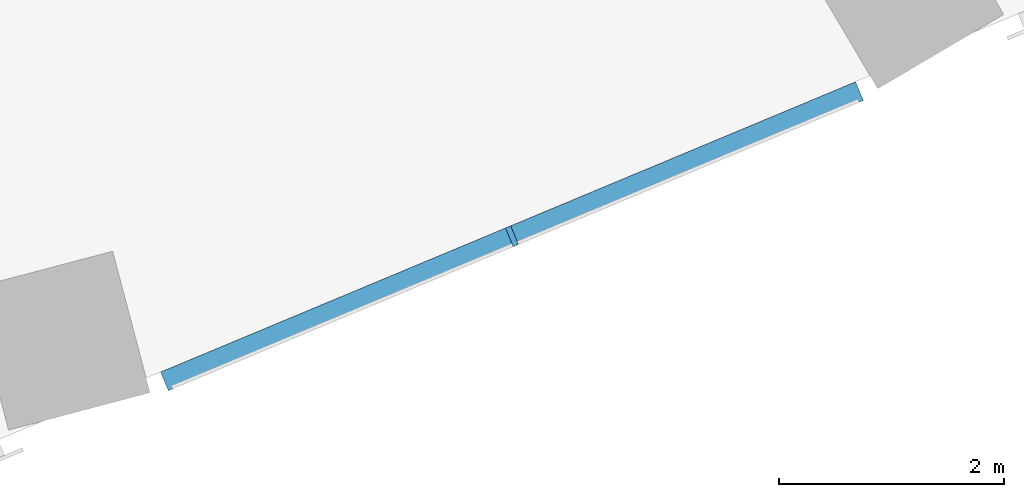
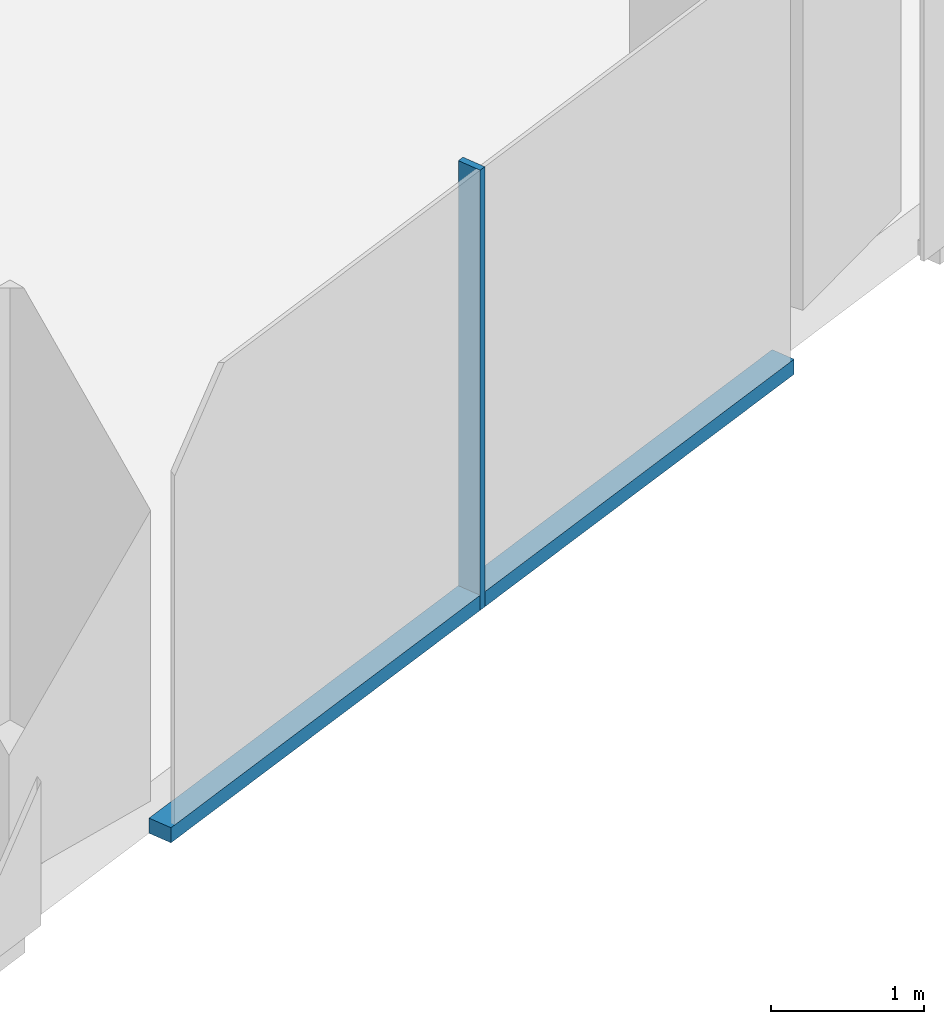
# One storey, part 6 of 35: 2 members, 1 element without a shape of its own.
"""IFC4 building model written with IfcOpenShell, lengths in metres."""

from ifc_helpers import new_model, si_unit, direction, frame, origin, origin_2d, place, context, subcontext, project, spatial, rectangle, extrude, material, material_profile, profile_set, type_object, element, aggregate, save


model = new_model("IFC4")

# Units and contexts
model_context = context("Model", 3, precision=1e-05, world=origin(), true_north=direction((0.0, 1.0)))
body_context = subcontext(model_context, "Body", "Model", "MODEL_VIEW")
ifc_project = project(units=[si_unit("LENGTHUNIT", "METRE"), si_unit("AREAUNIT", "SQUARE_METRE"), si_unit("VOLUMEUNIT", "CUBIC_METRE"), si_unit("PLANEANGLEUNIT", "RADIAN"), si_unit("MASSUNIT", "GRAM", prefix="KILO")], contexts=[model_context])

# Site, building, storey
site_placement = place(None, origin())
site = spatial("IfcSite", under=ifc_project, at=site_placement, CompositionType="ELEMENT")
building_placement = place(site_placement, origin())
building = spatial("IfcBuilding", under=site, at=building_placement, Name="Orlundy Tower", CompositionType="ELEMENT")
storey_placement = place(building_placement, frame((0.0, 0.0, 116.199951171875)))
storey = spatial("IfcBuildingStorey", under=building, at=storey_placement, Name="L29", CompositionType="ELEMENT", Elevation=116.199951171875)

# Curtain wall, members
ifc_material_1 = material(Name="Aluminium bronze anodised", Category="aluminium")
curtain_wall_type = type_object("IfcCurtainWallType", Name="CW1 wall", PredefinedType="NOTDEFINED", material=ifc_material_1)
curtain_wall_placement = place(storey_placement, origin())
curtain_wall = element("IfcCurtainWall", 1, at=curtain_wall_placement, inside=storey, type_object=curtain_wall_type, Name="CW1 run 01", PredefinedType="NOTDEFINED")
ifc_material_2 = material(Name="Aluminium bronze anodised", Category="aluminium")
ifc_material_profile_1 = material_profile(ifc_material_2, rectangle(XDim=0.179931640625, YDim=0.050048828125, at=origin_2d()), Name="CW1 mullion 50x180")
ifc_profile_set_1 = profile_set([ifc_material_profile_1], Name="Aluminium bronze anodised")
member_type_1 = type_object("IfcMemberType", Name="CW1 mullion 50x180", PredefinedType="MULLION", material=ifc_profile_set_1)
member_1_placement = place(storey_placement, frame((11.595703125, -27.76611328125, -0.39990234375), z_axis=(0.0, 0.0, 1.0), x_axis=(0.385377262048, -0.922759105019, 0.0)))
member_1 = element("IfcMember", 2, at=member_1_placement, type_object=member_type_1, Name="CW1 mullion 8", PredefinedType="MULLION", context=body_context, shape_type="SweptSolid", body=[
    extrude(rectangle(XDim=0.179931640625, YDim=0.050048828125, at=origin_2d()), origin(), (0.0, 0.0, 1.0), 3.5),
])
ifc_material_3 = material(Name="Aluminium bronze anodised", Category="aluminium")
ifc_material_profile_2 = material_profile(ifc_material_3, rectangle(XDim=0.179931640625, YDim=0.1201171875, at=origin_2d()), Name="CW1 transom 180x120")
ifc_profile_set_2 = profile_set([ifc_material_profile_2], Name="Aluminium bronze anodised")
member_type_2 = type_object("IfcMemberType", Name="CW1 transom 180x120", PredefinedType="USERDEFINED", material=ifc_profile_set_2)
member_2_placement = place(storey_placement, frame((14.6845703125, -26.47607421875, -0.33984375), z_axis=(-0.922764802462, -0.385363619635, 0.0), x_axis=(0.385363619635, -0.922764802462, 0.0)))
member_2 = element("IfcMember", 3, at=member_2_placement, type_object=member_type_2, Name="CW1 transom", ObjectType="TRANSOM", PredefinedType="USERDEFINED", context=body_context, shape_type="SweptSolid", body=[
    extrude(rectangle(XDim=0.179931640625, YDim=0.1201171875, at=origin_2d()), origin(), (0.0, 0.0, 1.0), 6.694580078125),
])
aggregate(curtain_wall, [member_1, member_2])

save(model, "model.ifc")
